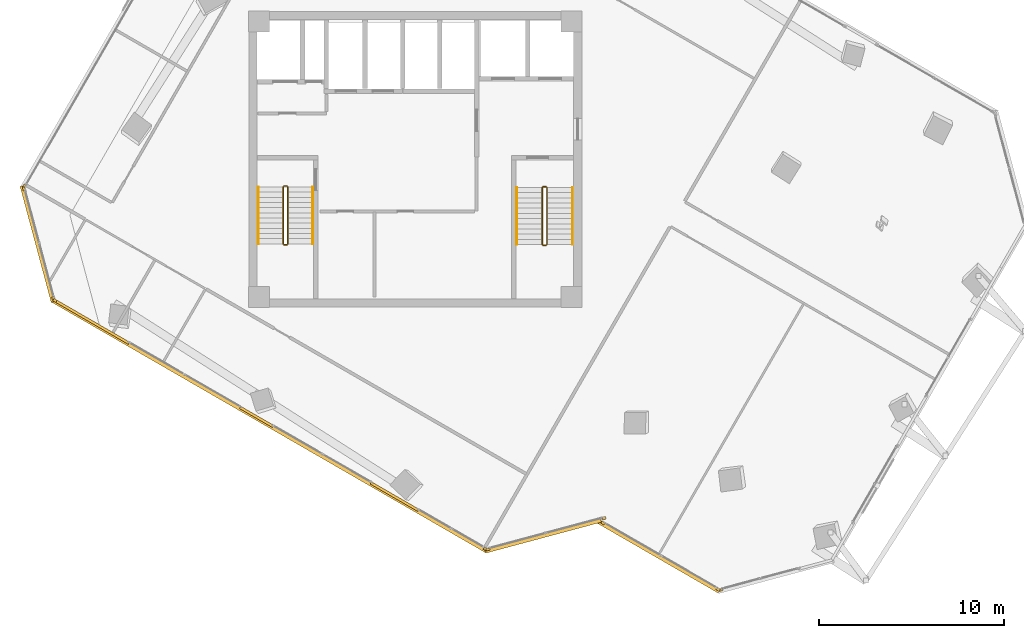
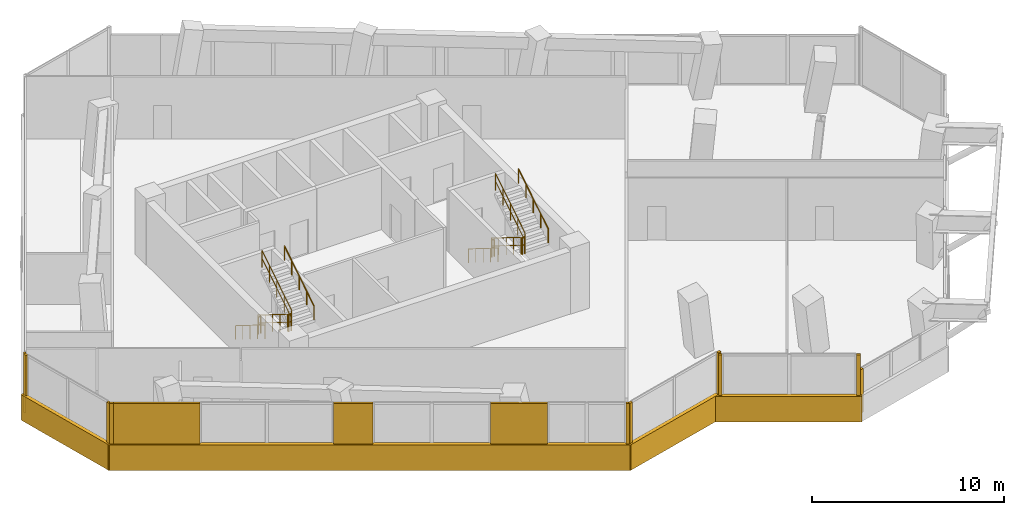
# One storey, part 20 of 22: 17 coverings, 12 railings.
"""IFC4 building model written with IfcOpenShell, lengths in metres."""

from ifc_helpers import new_model, si_unit, direction, frame, origin, origin_2d, place, context, subcontext, project, spatial, rectangle, circle, extrude, source, transform, mapped, material, layer, layer_set, type_object, element, save


model = new_model("IFC4")

# Units and contexts
model_context = context("Model", 3, precision=1e-05, world=origin(), true_north=direction((0.0, 1.0)))
body_context = subcontext(model_context, "Body", "Model", "MODEL_VIEW")
ifc_project = project(units=[si_unit("LENGTHUNIT", "METRE"), si_unit("AREAUNIT", "SQUARE_METRE"), si_unit("VOLUMEUNIT", "CUBIC_METRE"), si_unit("PLANEANGLEUNIT", "RADIAN"), si_unit("MASSUNIT", "GRAM", prefix="KILO")], contexts=[model_context])

# Site, building, storey
site_placement = place(None, origin())
site = spatial("IfcSite", under=ifc_project, at=site_placement, CompositionType="ELEMENT")
building_placement = place(site_placement, origin())
building = spatial("IfcBuilding", under=site, at=building_placement, Name="Torre Montelarca", CompositionType="ELEMENT")
storey_placement = place(building_placement, frame((0.0, 0.0, 183.39990234375)))
storey = spatial("IfcBuildingStorey", under=building, at=storey_placement, Name="L41", CompositionType="ELEMENT", Elevation=183.39990234375)

# Railings
ifc_material_1 = material(Name="Powder-coated steel ASTM A500 Grade C", Category="steel")
railing_type_1 = type_object("IfcRailingType", Name="RL-GUARD-1100", PredefinedType="BALUSTRADE", material=ifc_material_1)
railing_1_placement = place(storey_placement, frame((10.85009765625, 30.5, 0.175048828125)))
element("IfcRailing", 1, at=railing_1_placement, inside=storey, type_object=railing_type_1, Name="L41 ST1 stair guard 1", PredefinedType="BALUSTRADE", context=body_context, shape_type="SweptSolid", body=[
    extrude(circle(Radius=0.02392578125, at=origin_2d()), frame((0.0, 0.0, 1.076171875), z_axis=(0.0, -0.847998304005, 0.529998940003), x_axis=(1.0, 0.0, 0.0)), (0.0, 0.0, 1.0), 3.632080078125),
    extrude(circle(Radius=0.02099609375, at=origin_2d()), frame((0.0, 0.0, 0.572021484375), z_axis=(0.0, -0.847998304005, 0.529998940003), x_axis=(1.0, 0.0, 0.0)), (0.0, 0.0, 1.0), 3.632080078125),
    extrude(circle(Radius=0.02099609375, at=origin_2d()), origin(), (0.0, 0.0, 1.0), 1.052001953125),
    extrude(circle(Radius=0.02099609375, at=origin_2d()), frame((0.0, -0.77001953125, 0.481201171875)), (0.0, 0.0, 1.0), 1.052001953125),
    extrude(circle(Radius=0.02099609375, at=origin_2d()), frame((0.0, -1.5400390625, 0.96240234375)), (0.0, 0.0, 1.0), 1.052001953125),
    extrude(circle(Radius=0.02099609375, at=origin_2d()), frame((0.0, -2.31005859375, 1.44384765625)), (0.0, 0.0, 1.0), 1.052001953125),
    extrude(circle(Radius=0.02099609375, at=origin_2d()), frame((0.0, -3.080078125, 1.925048828125)), (0.0, 0.0, 1.0), 1.052001953125),
])
railing_2_placement = place(storey_placement, frame((10.89990234375, 27.3701171875, 2.10009765625)))
element("IfcRailing", 2, at=railing_2_placement, inside=storey, type_object=railing_type_1, Name="L41 ST1 stair guard 2", PredefinedType="BALUSTRADE", context=body_context, shape_type="SweptSolid", body=[
    extrude(circle(Radius=0.02392578125, at=origin_2d()), frame((0.0, 0.0, 1.076171875), z_axis=(1.0, 0.0, 0.0), x_axis=(0.0, 1.0, 0.0)), (0.0, 0.0, 1.0), 0.150146484375),
    extrude(circle(Radius=0.02099609375, at=origin_2d()), frame((0.0, 0.0, 0.572021484375), z_axis=(1.0, 0.0, 0.0), x_axis=(0.0, 1.0, 0.0)), (0.0, 0.0, 1.0), 0.150146484375),
    extrude(circle(Radius=0.02099609375, at=origin_2d()), origin(), (0.0, 0.0, 1.0), 1.052001953125),
    extrude(circle(Radius=0.02099609375, at=origin_2d()), frame((0.150146484375, 0.0, 0.0)), (0.0, 0.0, 1.0), 1.052001953125),
])
railing_3_placement = place(storey_placement, frame((11.10009765625, 27.419921875, 2.275146484375)))
element("IfcRailing", 3, at=railing_3_placement, inside=storey, type_object=railing_type_1, Name="L41 ST1 stair guard 3", PredefinedType="BALUSTRADE", context=body_context, shape_type="SweptSolid", body=[
    extrude(circle(Radius=0.02392578125, at=origin_2d()), frame((0.0, 0.0, 1.076171875), z_axis=(0.0, 0.847998304005, 0.529998940003), x_axis=(-1.0, 0.0, 0.0)), (0.0, 0.0, 1.0), 3.632080078125),
    extrude(circle(Radius=0.02099609375, at=origin_2d()), frame((0.0, 0.0, 0.572021484375), z_axis=(0.0, 0.847998304005, 0.529998940003), x_axis=(-1.0, 0.0, 0.0)), (0.0, 0.0, 1.0), 3.632080078125),
    extrude(circle(Radius=0.02099609375, at=origin_2d()), origin(), (0.0, 0.0, 1.0), 1.052001953125),
    extrude(circle(Radius=0.02099609375, at=origin_2d()), frame((0.0, 0.77001953125, 0.481201171875)), (0.0, 0.0, 1.0), 1.052001953125),
    extrude(circle(Radius=0.02099609375, at=origin_2d()), frame((0.0, 1.5400390625, 0.96240234375)), (0.0, 0.0, 1.0), 1.052001953125),
    extrude(circle(Radius=0.02099609375, at=origin_2d()), frame((0.0, 2.31005859375, 1.44384765625)), (0.0, 0.0, 1.0), 1.052001953125),
    extrude(circle(Radius=0.02099609375, at=origin_2d()), frame((0.0, 3.080078125, 1.925048828125)), (0.0, 0.0, 1.0), 1.052001953125),
])
railing_4_placement = place(storey_placement, frame((10.89990234375, 30.550048828125, 0.0)))
element("IfcRailing", 4, at=railing_4_placement, inside=storey, type_object=railing_type_1, Name="L41 ST1 stair guard 4", PredefinedType="BALUSTRADE", context=body_context, shape_type="SweptSolid", body=[
    extrude(circle(Radius=0.02392578125, at=origin_2d()), frame((0.0, 0.0, 1.076171875), z_axis=(1.0, 0.0, 0.0), x_axis=(0.0, 1.0, 0.0)), (0.0, 0.0, 1.0), 0.150146484375),
    extrude(circle(Radius=0.02099609375, at=origin_2d()), frame((0.0, 0.0, 0.572021484375), z_axis=(1.0, 0.0, 0.0), x_axis=(0.0, 1.0, 0.0)), (0.0, 0.0, 1.0), 0.150146484375),
    extrude(circle(Radius=0.02099609375, at=origin_2d()), origin(), (0.0, 0.0, 1.0), 1.052001953125),
    extrude(circle(Radius=0.02099609375, at=origin_2d()), frame((0.150146484375, 0.0, 0.0)), (0.0, 0.0, 1.0), 1.052001953125),
])
railing_5_placement = place(storey_placement, frame((24.8701171875, 30.469970703125, 0.175048828125)))
element("IfcRailing", 5, at=railing_5_placement, inside=storey, type_object=railing_type_1, Name="L41 ST2 stair guard 1", PredefinedType="BALUSTRADE", context=body_context, shape_type="SweptSolid", body=[
    extrude(circle(Radius=0.02392578125, at=origin_2d()), frame((0.0, 0.0, 1.076171875), z_axis=(0.0, -0.847998304005, 0.529998940003), x_axis=(1.0, 0.0, 0.0)), (0.0, 0.0, 1.0), 3.632080078125),
    extrude(circle(Radius=0.02099609375, at=origin_2d()), frame((0.0, 0.0, 0.572021484375), z_axis=(0.0, -0.847998304005, 0.529998940003), x_axis=(1.0, 0.0, 0.0)), (0.0, 0.0, 1.0), 3.632080078125),
    extrude(circle(Radius=0.02099609375, at=origin_2d()), origin(), (0.0, 0.0, 1.0), 1.052001953125),
    extrude(circle(Radius=0.02099609375, at=origin_2d()), frame((0.0, -0.77001953125, 0.481201171875)), (0.0, 0.0, 1.0), 1.052001953125),
    extrude(circle(Radius=0.02099609375, at=origin_2d()), frame((0.0, -1.5400390625, 0.96240234375)), (0.0, 0.0, 1.0), 1.052001953125),
    extrude(circle(Radius=0.02099609375, at=origin_2d()), frame((0.0, -2.31005859375, 1.44384765625)), (0.0, 0.0, 1.0), 1.052001953125),
    extrude(circle(Radius=0.02099609375, at=origin_2d()), frame((0.0, -3.080078125, 1.925048828125)), (0.0, 0.0, 1.0), 1.052001953125),
])
railing_6_placement = place(storey_placement, frame((24.919921875, 27.340087890625, 2.10009765625)))
element("IfcRailing", 6, at=railing_6_placement, inside=storey, type_object=railing_type_1, Name="L41 ST2 stair guard 2", PredefinedType="BALUSTRADE", context=body_context, shape_type="SweptSolid", body=[
    extrude(circle(Radius=0.02392578125, at=origin_2d()), frame((0.0, 0.0, 1.076171875), z_axis=(1.0, 0.0, 0.0), x_axis=(0.0, 1.0, 0.0)), (0.0, 0.0, 1.0), 0.150146484375),
    extrude(circle(Radius=0.02099609375, at=origin_2d()), frame((0.0, 0.0, 0.572021484375), z_axis=(1.0, 0.0, 0.0), x_axis=(0.0, 1.0, 0.0)), (0.0, 0.0, 1.0), 0.150146484375),
    extrude(circle(Radius=0.02099609375, at=origin_2d()), origin(), (0.0, 0.0, 1.0), 1.052001953125),
    extrude(circle(Radius=0.02099609375, at=origin_2d()), frame((0.150146484375, 0.0, 0.0)), (0.0, 0.0, 1.0), 1.052001953125),
])
railing_7_placement = place(storey_placement, frame((25.1201171875, 27.389892578125, 2.275146484375)))
element("IfcRailing", 7, at=railing_7_placement, inside=storey, type_object=railing_type_1, Name="L41 ST2 stair guard 3", PredefinedType="BALUSTRADE", context=body_context, shape_type="SweptSolid", body=[
    extrude(circle(Radius=0.02392578125, at=origin_2d()), frame((0.0, 0.0, 1.076171875), z_axis=(0.0, 0.847998304005, 0.529998940003), x_axis=(-1.0, 0.0, 0.0)), (0.0, 0.0, 1.0), 3.632080078125),
    extrude(circle(Radius=0.02099609375, at=origin_2d()), frame((0.0, 0.0, 0.572021484375), z_axis=(0.0, 0.847998304005, 0.529998940003), x_axis=(-1.0, 0.0, 0.0)), (0.0, 0.0, 1.0), 3.632080078125),
    extrude(circle(Radius=0.02099609375, at=origin_2d()), origin(), (0.0, 0.0, 1.0), 1.052001953125),
    extrude(circle(Radius=0.02099609375, at=origin_2d()), frame((0.0, 0.77001953125, 0.481201171875)), (0.0, 0.0, 1.0), 1.052001953125),
    extrude(circle(Radius=0.02099609375, at=origin_2d()), frame((0.0, 1.5400390625, 0.96240234375)), (0.0, 0.0, 1.0), 1.052001953125),
    extrude(circle(Radius=0.02099609375, at=origin_2d()), frame((0.0, 2.31005859375, 1.44384765625)), (0.0, 0.0, 1.0), 1.052001953125),
    extrude(circle(Radius=0.02099609375, at=origin_2d()), frame((0.0, 3.080078125, 1.925048828125)), (0.0, 0.0, 1.0), 1.052001953125),
])
railing_8_placement = place(storey_placement, frame((24.919921875, 30.52001953125, 0.0)))
element("IfcRailing", 8, at=railing_8_placement, inside=storey, type_object=railing_type_1, Name="L41 ST2 stair guard 4", PredefinedType="BALUSTRADE", context=body_context, shape_type="SweptSolid", body=[
    extrude(circle(Radius=0.02392578125, at=origin_2d()), frame((0.0, 0.0, 1.076171875), z_axis=(1.0, 0.0, 0.0), x_axis=(0.0, 1.0, 0.0)), (0.0, 0.0, 1.0), 0.150146484375),
    extrude(circle(Radius=0.02099609375, at=origin_2d()), frame((0.0, 0.0, 0.572021484375), z_axis=(1.0, 0.0, 0.0), x_axis=(0.0, 1.0, 0.0)), (0.0, 0.0, 1.0), 0.150146484375),
    extrude(circle(Radius=0.02099609375, at=origin_2d()), origin(), (0.0, 0.0, 1.0), 1.052001953125),
    extrude(circle(Radius=0.02099609375, at=origin_2d()), frame((0.150146484375, 0.0, 0.0)), (0.0, 0.0, 1.0), 1.052001953125),
])
ifc_material_2 = material(Name="Brushed stainless steel AISI 316", Category="steel")
railing_type_2 = type_object("IfcRailingType", Name="RL-HANDRAIL-900", PredefinedType="HANDRAIL", material=ifc_material_2)
railing_9_placement = place(storey_placement, frame((9.5, 30.5, 0.175048828125)))
element("IfcRailing", 9, at=railing_9_placement, inside=storey, type_object=railing_type_2, Name="L41 ST1 stair handrail 1", PredefinedType="HANDRAIL", context=body_context, shape_type="SweptSolid", body=[
    extrude(circle(Radius=0.02392578125, at=origin_2d()), frame((0.0, 0.0, 0.8759765625), z_axis=(0.0, -0.847998304005, 0.529998940003), x_axis=(1.0, 0.0, 0.0)), (0.0, 0.0, 1.0), 3.632080078125),
    extrude(circle(Radius=0.02099609375, at=origin_2d()), origin(), (0.0, 0.0, 1.0), 0.851806640625),
    extrude(circle(Radius=0.02099609375, at=origin_2d()), frame((0.0, -0.77001953125, 0.481201171875)), (0.0, 0.0, 1.0), 0.851806640625),
    extrude(circle(Radius=0.02099609375, at=origin_2d()), frame((0.0, -1.5400390625, 0.96240234375)), (0.0, 0.0, 1.0), 0.851806640625),
    extrude(circle(Radius=0.02099609375, at=origin_2d()), frame((0.0, -2.31005859375, 1.44384765625)), (0.0, 0.0, 1.0), 0.851806640625),
    extrude(circle(Radius=0.02099609375, at=origin_2d()), frame((0.0, -3.080078125, 1.925048828125)), (0.0, 0.0, 1.0), 0.851806640625),
])
railing_10_placement = place(storey_placement, frame((12.449951171875, 27.419921875, 2.275146484375)))
element("IfcRailing", 10, at=railing_10_placement, inside=storey, type_object=railing_type_2, Name="L41 ST1 stair handrail 2", PredefinedType="HANDRAIL", context=body_context, shape_type="SweptSolid", body=[
    extrude(circle(Radius=0.02392578125, at=origin_2d()), frame((0.0, 0.0, 0.8759765625), z_axis=(0.0, 0.847998304005, 0.529998940003), x_axis=(-1.0, 0.0, 0.0)), (0.0, 0.0, 1.0), 3.632080078125),
    extrude(circle(Radius=0.02099609375, at=origin_2d()), origin(), (0.0, 0.0, 1.0), 0.851806640625),
    extrude(circle(Radius=0.02099609375, at=origin_2d()), frame((0.0, 0.77001953125, 0.481201171875)), (0.0, 0.0, 1.0), 0.851806640625),
    extrude(circle(Radius=0.02099609375, at=origin_2d()), frame((0.0, 1.5400390625, 0.96240234375)), (0.0, 0.0, 1.0), 0.851806640625),
    extrude(circle(Radius=0.02099609375, at=origin_2d()), frame((0.0, 2.31005859375, 1.44384765625)), (0.0, 0.0, 1.0), 0.851806640625),
    extrude(circle(Radius=0.02099609375, at=origin_2d()), frame((0.0, 3.080078125, 1.925048828125)), (0.0, 0.0, 1.0), 0.851806640625),
])
railing_11_placement = place(storey_placement, frame((23.489990234375, 30.469970703125, 0.175048828125)))
element("IfcRailing", 11, at=railing_11_placement, inside=storey, type_object=railing_type_2, Name="L41 ST2 stair handrail 1", PredefinedType="HANDRAIL", context=body_context, shape_type="SweptSolid", body=[
    extrude(circle(Radius=0.02392578125, at=origin_2d()), frame((0.0, 0.0, 0.8759765625), z_axis=(0.0, -0.847998304005, 0.529998940003), x_axis=(1.0, 0.0, 0.0)), (0.0, 0.0, 1.0), 3.632080078125),
    extrude(circle(Radius=0.02099609375, at=origin_2d()), origin(), (0.0, 0.0, 1.0), 0.851806640625),
    extrude(circle(Radius=0.02099609375, at=origin_2d()), frame((0.0, -0.77001953125, 0.481201171875)), (0.0, 0.0, 1.0), 0.851806640625),
    extrude(circle(Radius=0.02099609375, at=origin_2d()), frame((0.0, -1.5400390625, 0.96240234375)), (0.0, 0.0, 1.0), 0.851806640625),
    extrude(circle(Radius=0.02099609375, at=origin_2d()), frame((0.0, -2.31005859375, 1.44384765625)), (0.0, 0.0, 1.0), 0.851806640625),
    extrude(circle(Radius=0.02099609375, at=origin_2d()), frame((0.0, -3.080078125, 1.925048828125)), (0.0, 0.0, 1.0), 0.851806640625),
])
railing_12_placement = place(storey_placement, frame((26.5, 27.389892578125, 2.275146484375)))
element("IfcRailing", 12, at=railing_12_placement, inside=storey, type_object=railing_type_2, Name="L41 ST2 stair handrail 2", PredefinedType="HANDRAIL", context=body_context, shape_type="SweptSolid", body=[
    extrude(circle(Radius=0.02392578125, at=origin_2d()), frame((0.0, 0.0, 0.8759765625), z_axis=(0.0, 0.847998304005, 0.529998940003), x_axis=(-1.0, 0.0, 0.0)), (0.0, 0.0, 1.0), 3.632080078125),
    extrude(circle(Radius=0.02099609375, at=origin_2d()), origin(), (0.0, 0.0, 1.0), 0.851806640625),
    extrude(circle(Radius=0.02099609375, at=origin_2d()), frame((0.0, 0.77001953125, 0.481201171875)), (0.0, 0.0, 1.0), 0.851806640625),
    extrude(circle(Radius=0.02099609375, at=origin_2d()), frame((0.0, 1.5400390625, 0.96240234375)), (0.0, 0.0, 1.0), 0.851806640625),
    extrude(circle(Radius=0.02099609375, at=origin_2d()), frame((0.0, 2.31005859375, 1.44384765625)), (0.0, 0.0, 1.0), 0.851806640625),
    extrude(circle(Radius=0.02099609375, at=origin_2d()), frame((0.0, 3.080078125, 1.925048828125)), (0.0, 0.0, 1.0), 0.851806640625),
])

# Coverings
ifc_material_3 = material(Name="Bush-hammered warm white precast concrete C45/55", Category="concrete")
ifc_layer = layer(ifc_material_3, 0.139892578125, Name="Bush-hammered warm white precast concrete C45/55", Category="concrete")
ifc_layer_set = layer_set([ifc_layer], Name="Bush-hammered warm white precast concrete C45/55")
covering_type = type_object("IfcCoveringType", Name="COV-TRAY-CLAD", PredefinedType="CLADDING", material=ifc_layer_set)
shared_shape_1 = source(origin(), body_context, "Body", "SweptSolid", [
    extrude(rectangle(XDim=6.48388671875, YDim=0.219970703125, at=origin_2d()), origin(), (0.0, 0.0, 1.0), 1.6201171875),
])
for number, where, z_axis, x_axis, name in (
    (13, (24.905517578125, 11.640869140625, -0.449951171875), (0.0, 0.0, 1.0), (0.965922212399, 0.258832531946, 0.0), "L41 Architectural White Spandrel Tray Band TRYBOT-02"),
    (14, (-2.42431640625, 27.419677734375, -0.449951171875), (0.0, 0.0, 1.0), (0.258813987523, -0.965927181449, 0.0), "L41 Architectural White Spandrel Tray Band TRYBOT-11"),
):
    element("IfcCovering", number, at=place(storey_placement, frame(where, z_axis=z_axis, x_axis=x_axis)), inside=storey, type_object=covering_type, Name=name, PredefinedType="CLADDING", context=body_context, shape_type="MappedRepresentation", body=[
        mapped(shared_shape_1, transform((0.0, 0.0, 0.0), scale=1.0)),
    ])
shared_shape_2 = source(origin(), body_context, "Body", "SweptSolid", [
    extrude(rectangle(XDim=27.219970703125, YDim=0.219970703125, at=origin_2d()), origin(), (0.0, 0.0, 1.0), 1.6201171875),
])
covering_1_placement = place(storey_placement, frame((10.1201171875, 17.58935546875, -0.449951171875), z_axis=(0.0, 0.0, 1.0), x_axis=(0.866025403784, -0.5, 0.0)))
element("IfcCovering", 15, at=covering_1_placement, inside=storey, type_object=covering_type, Name="L41 Architectural White Spandrel Tray Band TRYBOT-01", PredefinedType="CLADDING", context=body_context, shape_type="MappedRepresentation", body=[
    mapped(shared_shape_2, transform((0.0, 0.0, 0.0), scale=1.0)),
])
shared_shape_3 = source(origin(), body_context, "Body", "SweptSolid", [
    extrude(rectangle(XDim=0.199951171875, YDim=0.139892578125, at=origin_2d()), origin(), (0.0, 0.0, 1.0), 3.719970703125),
])
for number, where, z_axis, x_axis, name in (
    (16, (-1.484375, 24.3583984375, 0.0), (0.0, 0.0, 1.0), (0.866025403784, -0.5, 0.0), "L41 Architectural Column Pier Cladding E01-1"),
    (17, (21.784423828125, 10.92431640625, 0.0), (0.0, 0.0, 1.0), (0.866025403784, -0.5, 0.0), "L41 Architectural Column Pier Cladding E01-5"),
    (18, (21.92822265625, 10.9052734375, 0.0), (0.0, 0.0, 1.0), (0.965923115889, 0.25882916024, 0.0), "L41 Architectural Column Pier Cladding E02-1"),
    (19, (28.20654296875, 12.58740234375, 0.0), (0.0, 0.0, 1.0), (0.965923115889, 0.25882916024, 0.0), "L41 Architectural Column Pier Cladding E02-2"),
    (20, (28.14794921875, 12.330810546875, 0.0), (0.0, 0.0, 1.0), (0.866028021766, -0.499995465495, 0.0), "L41 Architectural Column Pier Cladding E04-1"),
    (21, (34.376708984375, 8.734619140625, 0.0), (0.0, 0.0, 1.0), (0.866028021766, -0.499995465495, 0.0), "L41 Architectural Column Pier Cladding E04-2"),
    (22, (-3.140869140625, 30.540771484375, 0.0), (0.0, 0.0, 1.0), (-0.500001511499, -0.866024531118, 0.0), "L41 Architectural Column Pier Cladding E10-2"),
    (23, (-3.159912109375, 30.39697265625, 0.0), (0.0, 0.0, 1.0), (0.258815673384, -0.965926729732, 0.0), "L41 Architectural Column Pier Cladding E11-1"),
    (24, (-1.57275390625, 24.473388671875, 0.0), (0.0, 0.0, 1.0), (0.258815673384, -0.965926729732, 0.0), "L41 Architectural Column Pier Cladding E11-2"),
):
    element("IfcCovering", number, at=place(storey_placement, frame(where, z_axis=z_axis, x_axis=x_axis)), inside=storey, type_object=covering_type, Name=name, PredefinedType="CLADDING", context=body_context, shape_type="MappedRepresentation", body=[
        mapped(shared_shape_3, transform((0.0, 0.0, 0.0), scale=1.0)),
    ])
shared_shape_4 = source(origin(), body_context, "Body", "SweptSolid", [
    extrude(rectangle(XDim=0.199951171875, YDim=0.139892578125, at=origin_2d()), origin(), (0.0, 0.0, 1.0), 2.77490234375),
])
covering_2_placement = place(storey_placement, frame((34.5205078125, 8.7158203125, 0.000244140625), z_axis=(0.0, 0.0, 1.0), x_axis=(0.96592176065, 0.258834217798, 0.0)))
element("IfcCovering", 25, at=covering_2_placement, inside=storey, type_object=covering_type, Name="L41 Architectural Column Pier Cladding E05-1", PredefinedType="CLADDING", context=body_context, shape_type="MappedRepresentation", body=[
    mapped(shared_shape_4, transform((0.0, 0.0, 0.0), scale=1.0)),
])
shared_shape_5 = source(origin(), body_context, "Body", "SweptSolid", [
    extrude(rectangle(XDim=7.6201171875, YDim=0.219970703125, at=origin_2d()), origin(), (0.0, 0.0, 1.0), 1.6201171875),
])
covering_3_placement = place(storey_placement, frame((31.199462890625, 10.499755859375, -0.449951171875), z_axis=(0.0, 0.0, 1.0), x_axis=(0.866025403784, -0.5, 0.0)))
element("IfcCovering", 26, at=covering_3_placement, inside=storey, type_object=covering_type, Name="L41 Architectural White Spandrel Tray Band TRYBOT-04", PredefinedType="CLADDING", context=body_context, shape_type="MappedRepresentation", body=[
    mapped(shared_shape_5, transform((0.0, 0.0, 0.0), scale=1.0)),
])
shared_shape_6 = source(origin(), body_context, "Body", "SweptSolid", [
    extrude(rectangle(XDim=2.06005859375, YDim=0.139892578125, at=origin_2d()), origin(), (0.0, 0.0, 1.0), 3.719970703125),
])
covering_4_placement = place(storey_placement, frame((9.413818359375, 18.06640625, 0.0), z_axis=(0.0, 0.0, 1.0), x_axis=(0.866025403784, -0.5, 0.0)))
element("IfcCovering", 27, at=covering_4_placement, inside=storey, type_object=covering_type, Name="L41 Architectural Column Pier Cladding E01-3", PredefinedType="CLADDING", context=body_context, shape_type="MappedRepresentation", body=[
    mapped(shared_shape_6, transform((0.0, 0.0, 0.0), scale=1.0)),
])
shared_shape_7 = source(origin(), body_context, "Body", "SweptSolid", [
    extrude(rectangle(XDim=4.6142578125, YDim=0.139892578125, at=origin_2d()), origin(), (0.0, 0.0, 1.0), 3.719970703125),
])
covering_5_placement = place(storey_placement, frame((0.513671875, 23.204833984375, 0.0), z_axis=(0.0, 0.0, 1.0), x_axis=(0.866025403784, -0.5, 0.0)))
element("IfcCovering", 28, at=covering_5_placement, inside=storey, type_object=covering_type, Name="L41 Architectural Column Pier Cladding E01-2", PredefinedType="CLADDING", context=body_context, shape_type="MappedRepresentation", body=[
    mapped(shared_shape_7, transform((0.0, 0.0, 0.0), scale=1.0)),
])
shared_shape_8 = source(origin(), body_context, "Body", "SweptSolid", [
    extrude(rectangle(XDim=2.96533203125, YDim=0.139892578125, at=origin_2d()), origin(), (0.0, 0.0, 1.0), 3.719970703125),
])
covering_6_placement = place(storey_placement, frame((16.881103515625, 13.755126953125, 0.0), z_axis=(0.0, 0.0, 1.0), x_axis=(0.866025403784, -0.5, 0.0)))
element("IfcCovering", 29, at=covering_6_placement, inside=storey, type_object=covering_type, Name="L41 Architectural Column Pier Cladding E01-4", PredefinedType="CLADDING", context=body_context, shape_type="MappedRepresentation", body=[
    mapped(shared_shape_8, transform((0.0, 0.0, 0.0), scale=1.0)),
])

save(model, "model.ifc")
